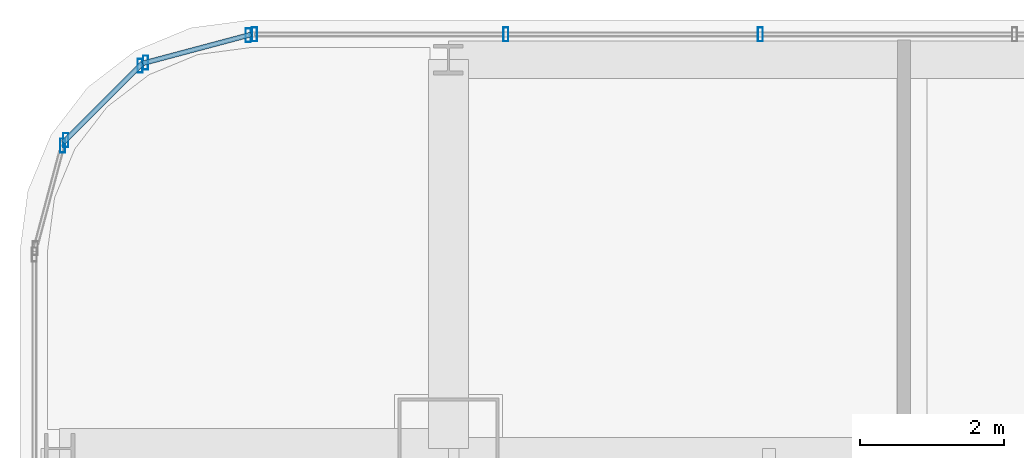
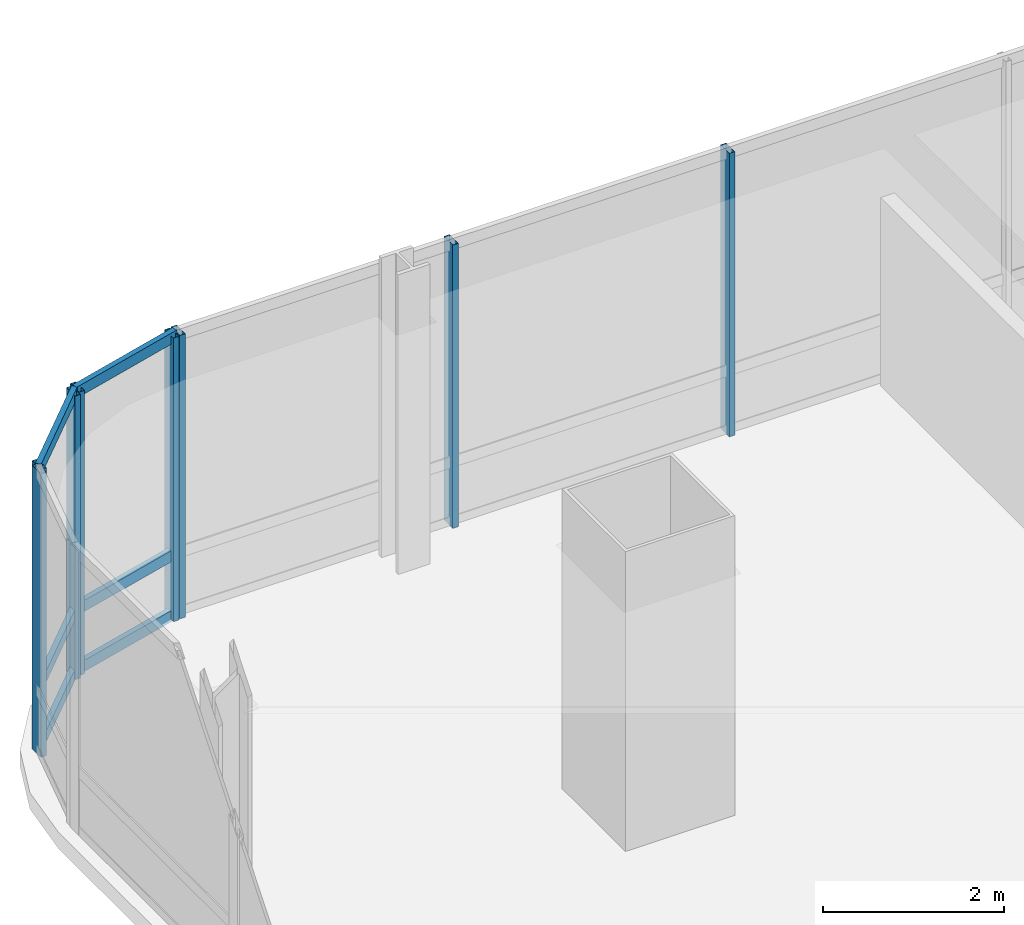
# One storey, part 21 of 38: 14 members, 4 elements without a shape of their own.
"""IFC4 building model written with IfcOpenShell, lengths in metres."""

from ifc_helpers import new_model, si_unit, direction, frame, origin, origin_2d, place, context, subcontext, project, spatial, hollow_rectangle, extrude, material, material_profile, profile_set, type_object, element, aggregate, save


model = new_model("IFC4")

# Units and contexts
model_context = context("Model", 3, precision=1e-05, world=origin(), true_north=direction((0.0, 1.0)))
body_context = subcontext(model_context, "Body", "Model", "MODEL_VIEW")
ifc_project = project(units=[si_unit("LENGTHUNIT", "METRE"), si_unit("AREAUNIT", "SQUARE_METRE"), si_unit("VOLUMEUNIT", "CUBIC_METRE"), si_unit("PLANEANGLEUNIT", "RADIAN"), si_unit("MASSUNIT", "GRAM", prefix="KILO")], contexts=[model_context])

# Site, building, storey
site_placement = place(None, origin())
site = spatial("IfcSite", under=ifc_project, at=site_placement, CompositionType="ELEMENT")
building_placement = place(site_placement, origin())
building = spatial("IfcBuilding", under=site, at=building_placement, Name="Punatoya Terracotta Tower", CompositionType="ELEMENT")
storey_placement = place(building_placement, frame((0.0, 0.0, 147.89990234375)))
storey = spatial("IfcBuildingStorey", under=building, at=storey_placement, Name="L34", CompositionType="ELEMENT", Elevation=147.89990234375)

# Curtain wall, members
ifc_material_1 = material(Name="Aluminium 6063-T6 + Double Low-E Glass", Category="aluminium")
curtain_wall_type = type_object("IfcCurtainWallType", Name="CW-M2", PredefinedType="NOTDEFINED", material=ifc_material_1)
curtain_wall_1_placement = place(storey_placement, origin())
curtain_wall_1 = element("IfcCurtainWall", 1, at=curtain_wall_1_placement, inside=storey, type_object=curtain_wall_type, Name="L34 Curtain Wall CW-L34-N09-1", PredefinedType="NOTDEFINED")
ifc_material_2 = material(Name="Aluminium 6063-T6", Category="aluminium")
ifc_material_profile_1 = material_profile(ifc_material_2, hollow_rectangle(XDim=0.072021484375, YDim=0.195068359375, WallThickness=0.00439453125, at=origin_2d()))
ifc_profile_set_1 = profile_set([ifc_material_profile_1], Name="Aluminium 6063-T6")
member_type_1 = type_object("IfcMemberType", Name="CW-MUL-M2", PredefinedType="MULLION", material=ifc_profile_set_1)
member_1_placement = place(storey_placement, frame((-14.768798828125, 23.25, 0.0), z_axis=(0.0, 0.0, 1.0), x_axis=(1.0, 0.0, 0.0)))
member_1 = element("IfcMember", 2, at=member_1_placement, type_object=member_type_1, Name="CW-L34-N09-1 Mullion 09", PredefinedType="MULLION", context=body_context, shape_type="SweptSolid", body=[
    extrude(hollow_rectangle(XDim=0.072021484375, YDim=0.195068359375, WallThickness=0.00439453125, at=origin_2d()), origin(), (0.0, 0.0, 1.0), 3.830078125),
])
member_2_placement = place(storey_placement, frame((-18.302978515625, 23.25, 0.0), z_axis=(0.0, 0.0, 1.0), x_axis=(1.0, 0.0, 0.0)))
member_2 = element("IfcMember", 3, at=member_2_placement, type_object=member_type_1, Name="CW-L34-N09-1 Mullion 10", PredefinedType="MULLION", context=body_context, shape_type="SweptSolid", body=[
    extrude(hollow_rectangle(XDim=0.072021484375, YDim=0.195068359375, WallThickness=0.00439453125, at=origin_2d()), origin(), (0.0, 0.0, 1.0), 3.830078125),
])
member_3_placement = place(storey_placement, frame((-21.7919921875, 23.25, 0.0), z_axis=(0.0, 0.0, 1.0), x_axis=(1.0, 0.0, 0.0)))
member_3 = element("IfcMember", 4, at=member_3_placement, type_object=member_type_1, Name="CW-L34-N09-1 Mullion 11", PredefinedType="MULLION", context=body_context, shape_type="SweptSolid", body=[
    extrude(hollow_rectangle(XDim=0.072021484375, YDim=0.195068359375, WallThickness=0.00439453125, at=origin_2d()), origin(), (0.0, 0.0, 1.0), 3.830078125),
])
aggregate(curtain_wall_1, [member_1, member_2, member_3])

curtain_wall_2_placement = place(storey_placement, origin())
curtain_wall_2 = element("IfcCurtainWall", 5, at=curtain_wall_2_placement, inside=storey, type_object=curtain_wall_type, Name="L34 Curtain Wall CW-L34-CRN10", PredefinedType="NOTDEFINED")
member_4_placement = place(storey_placement, frame((-21.88037109375, 23.23828125, 0.0), z_axis=(0.0, 0.0, 1.0), x_axis=(1.0, 0.0, 0.0)))
member_4 = element("IfcMember", 6, at=member_4_placement, type_object=member_type_1, Name="CW-L34-CRN10 Mullion 00", PredefinedType="MULLION", context=body_context, shape_type="SweptSolid", body=[
    extrude(hollow_rectangle(XDim=0.072021484375, YDim=0.195068359375, WallThickness=0.00439453125, at=origin_2d()), origin(), (0.0, 0.0, 1.0), 3.830078125),
])
member_5_placement = place(storey_placement, frame((-23.3056640625, 22.858154296875, 0.0), z_axis=(0.0, 0.0, 1.0), x_axis=(1.0, 0.0, 0.0)))
member_5 = element("IfcMember", 7, at=member_5_placement, type_object=member_type_1, Name="CW-L34-CRN10 Mullion 01", PredefinedType="MULLION", context=body_context, shape_type="SweptSolid", body=[
    extrude(hollow_rectangle(XDim=0.072021484375, YDim=0.195068359375, WallThickness=0.00439453125, at=origin_2d()), origin(), (0.0, 0.0, 1.0), 3.830078125),
])

curtain_wall_3_placement = place(storey_placement, origin())
curtain_wall_3 = element("IfcCurtainWall", 8, at=curtain_wall_3_placement, inside=storey, type_object=curtain_wall_type, Name="L34 Curtain Wall CW-L34-CRN11", PredefinedType="NOTDEFINED")
member_6_placement = place(storey_placement, frame((-23.380859375, 22.814697265625, 0.0), z_axis=(0.0, 0.0, 1.0), x_axis=(1.0, 0.0, 0.0)))
member_6 = element("IfcMember", 9, at=member_6_placement, type_object=member_type_1, Name="CW-L34-CRN11 Mullion 00", PredefinedType="MULLION", context=body_context, shape_type="SweptSolid", body=[
    extrude(hollow_rectangle(XDim=0.072021484375, YDim=0.195068359375, WallThickness=0.00439453125, at=origin_2d()), origin(), (0.0, 0.0, 1.0), 3.830078125),
])
member_7_placement = place(storey_placement, frame((-24.414794921875, 21.781005859375, 0.0), z_axis=(0.0, 0.0, 1.0), x_axis=(1.0, 0.0, 0.0)))
member_7 = element("IfcMember", 10, at=member_7_placement, type_object=member_type_1, Name="CW-L34-CRN11 Mullion 01", PredefinedType="MULLION", context=body_context, shape_type="SweptSolid", body=[
    extrude(hollow_rectangle(XDim=0.072021484375, YDim=0.195068359375, WallThickness=0.00439453125, at=origin_2d()), origin(), (0.0, 0.0, 1.0), 3.830078125),
])

# Curtain wall, member
curtain_wall_4_placement = place(storey_placement, origin())
curtain_wall_4 = element("IfcCurtainWall", 11, at=curtain_wall_4_placement, inside=storey, type_object=curtain_wall_type, Name="L34 Curtain Wall CW-L34-CRN12", PredefinedType="NOTDEFINED")
member_8_placement = place(storey_placement, frame((-24.458251953125, 21.70556640625, 0.0), z_axis=(0.0, 0.0, 1.0), x_axis=(1.0, 0.0, 0.0)))
member_8 = element("IfcMember", 12, at=member_8_placement, type_object=member_type_1, Name="CW-L34-CRN12 Mullion 00", PredefinedType="MULLION", context=body_context, shape_type="SweptSolid", body=[
    extrude(hollow_rectangle(XDim=0.072021484375, YDim=0.195068359375, WallThickness=0.00439453125, at=origin_2d()), origin(), (0.0, 0.0, 1.0), 3.830078125),
])
aggregate(curtain_wall_4, [member_8])

# Member
ifc_material_profile_2 = material_profile(ifc_material_2, hollow_rectangle(XDim=0.068115234375, YDim=0.14990234375, WallThickness=0.00390625, at=origin_2d()))
ifc_profile_set_2 = profile_set([ifc_material_profile_2], Name="Aluminium 6063-T6")
member_type_2 = type_object("IfcMemberType", Name="CW-TRN-TYP", PredefinedType="USERDEFINED", material=ifc_profile_set_2)
member_9_placement = place(storey_placement, frame((-21.8369140625, 23.25, 0.0400390625), z_axis=(-0.966224582397, -0.257701486942, 0.0), x_axis=(0.257701486942, -0.966224582397, 0.0)))
member_9 = element("IfcMember", 13, at=member_9_placement, type_object=member_type_2, Name="CW-L34-CRN10 Transom 1", ObjectType="TRANSOM", PredefinedType="USERDEFINED", context=body_context, shape_type="SweptSolid", body=[
    extrude(hollow_rectangle(XDim=0.068115234375, YDim=0.14990234375, WallThickness=0.00390625, at=origin_2d()), origin(), (0.0, 0.0, 1.0), 1.565185546875),
])

member_10_placement = place(storey_placement, frame((-21.8369140625, 23.25, 0.85009765625), z_axis=(-0.966224582397, -0.257701486942, 0.0), x_axis=(0.257701486942, -0.966224582397, 0.0)))
member_10 = element("IfcMember", 14, at=member_10_placement, type_object=member_type_2, Name="CW-L34-CRN10 Transom 2", ObjectType="TRANSOM", PredefinedType="USERDEFINED", context=body_context, shape_type="SweptSolid", body=[
    extrude(hollow_rectangle(XDim=0.068115234375, YDim=0.14990234375, WallThickness=0.00390625, at=origin_2d()), origin(), (0.0, 0.0, 1.0), 1.565185546875),
])

member_11_placement = place(storey_placement, frame((-21.8369140625, 23.25, 3.7900390625), z_axis=(-0.966224582397, -0.257701486942, 0.0), x_axis=(0.257701486942, -0.966224582397, 0.0)))
member_11 = element("IfcMember", 15, at=member_11_placement, type_object=member_type_2, Name="CW-L34-CRN10 Transom 3", ObjectType="TRANSOM", PredefinedType="USERDEFINED", context=body_context, shape_type="SweptSolid", body=[
    extrude(hollow_rectangle(XDim=0.068115234375, YDim=0.14990234375, WallThickness=0.00390625, at=origin_2d()), origin(), (0.0, 0.0, 1.0), 1.565185546875),
])

aggregate(curtain_wall_2, [member_4, member_5, member_9, member_10, member_11])

member_12_placement = place(storey_placement, frame((-23.34912109375, 22.8466796875, 0.0400390625), z_axis=(-0.707028130747, -0.707185422879, 0.0), x_axis=(0.707185422879, -0.707028130747, 0.0)))
member_12 = element("IfcMember", 16, at=member_12_placement, type_object=member_type_2, Name="CW-L34-CRN11 Transom 1", ObjectType="TRANSOM", PredefinedType="USERDEFINED", context=body_context, shape_type="SweptSolid", body=[
    extrude(hollow_rectangle(XDim=0.068115234375, YDim=0.14990234375, WallThickness=0.00390625, at=origin_2d()), origin(), (0.0, 0.0, 1.0), 1.55224609375),
])

member_13_placement = place(storey_placement, frame((-23.34912109375, 22.8466796875, 0.85009765625), z_axis=(-0.707028130747, -0.707185422879, 0.0), x_axis=(0.707185422879, -0.707028130747, 0.0)))
member_13 = element("IfcMember", 17, at=member_13_placement, type_object=member_type_2, Name="CW-L34-CRN11 Transom 2", ObjectType="TRANSOM", PredefinedType="USERDEFINED", context=body_context, shape_type="SweptSolid", body=[
    extrude(hollow_rectangle(XDim=0.068115234375, YDim=0.14990234375, WallThickness=0.00390625, at=origin_2d()), origin(), (0.0, 0.0, 1.0), 1.55224609375),
])

member_14_placement = place(storey_placement, frame((-23.34912109375, 22.8466796875, 3.7900390625), z_axis=(-0.707028130747, -0.707185422879, 0.0), x_axis=(0.707185422879, -0.707028130747, 0.0)))
member_14 = element("IfcMember", 18, at=member_14_placement, type_object=member_type_2, Name="CW-L34-CRN11 Transom 3", ObjectType="TRANSOM", PredefinedType="USERDEFINED", context=body_context, shape_type="SweptSolid", body=[
    extrude(hollow_rectangle(XDim=0.068115234375, YDim=0.14990234375, WallThickness=0.00390625, at=origin_2d()), origin(), (0.0, 0.0, 1.0), 1.55224609375),
])

aggregate(curtain_wall_3, [member_6, member_7, member_12, member_13, member_14])

save(model, "model.ifc")
